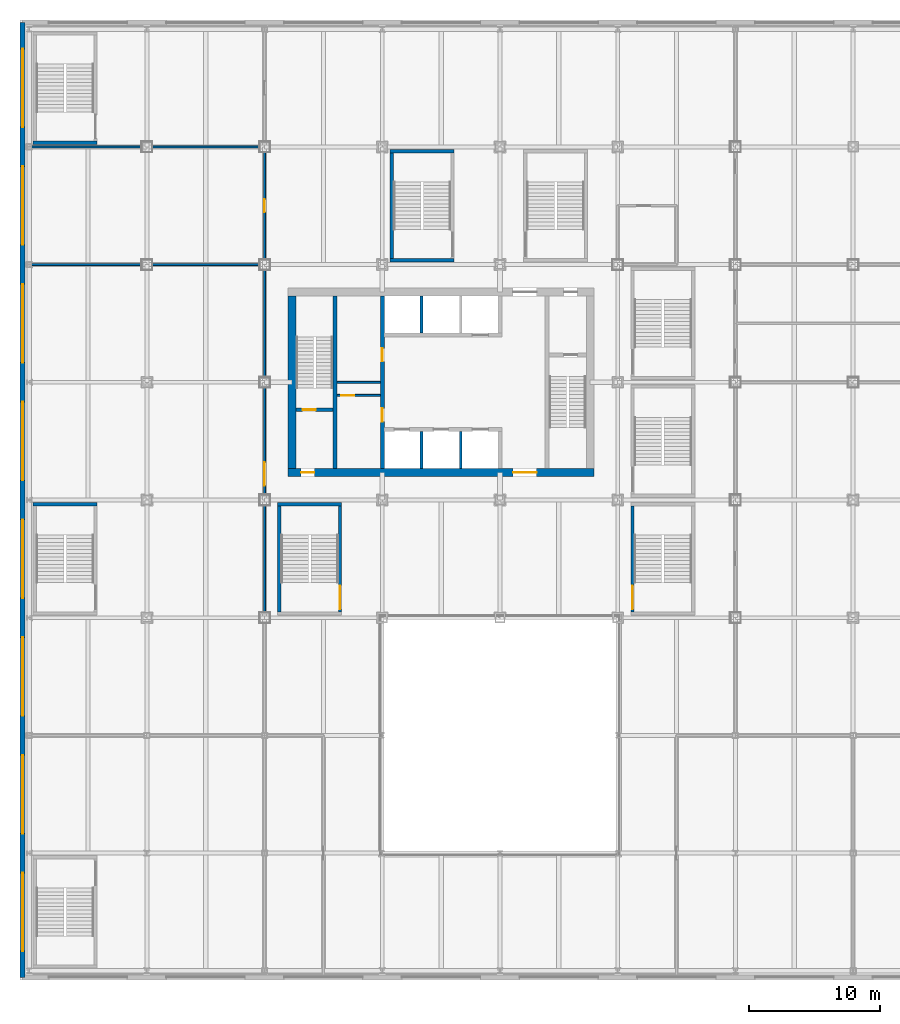
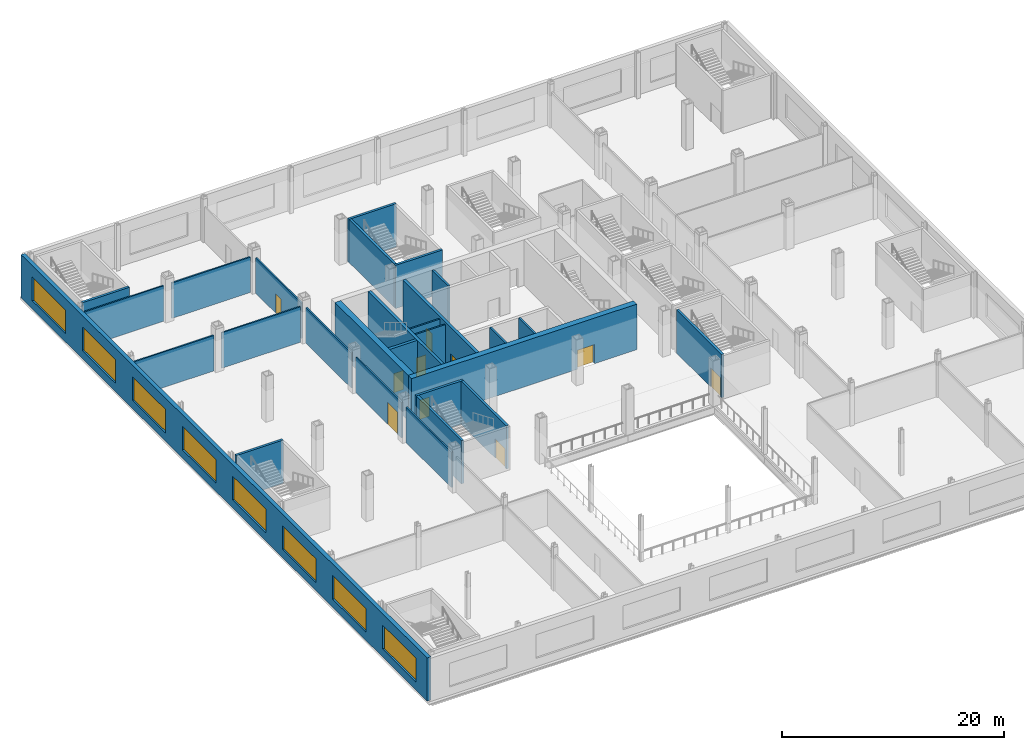
# One storey, part 12 of 31: 28 walls, 10 doors, 8 windows, 18 openings.
"""IFC4 building model written with IfcOpenShell, lengths in metres."""

from ifc_helpers import new_model, si_unit, direction, frame, frame_2d, origin, place, context, subcontext, project, spatial, rectangle, extrude, material, layer, layer_set, type_object, element, fill, save


model = new_model("IFC4")

# Units and contexts
model_context = context("Model", 3, precision=1e-05, world=origin(), true_north=direction((0.0, 1.0)))
body_context = subcontext(model_context, "Body", "Model", "MODEL_VIEW")
ifc_project = project(units=[si_unit("LENGTHUNIT", "METRE"), si_unit("AREAUNIT", "SQUARE_METRE"), si_unit("VOLUMEUNIT", "CUBIC_METRE"), si_unit("PLANEANGLEUNIT", "RADIAN"), si_unit("MASSUNIT", "GRAM", prefix="KILO")], contexts=[model_context])

# Site, building, storey
site_placement = place(None, origin())
site = spatial("IfcSite", under=ifc_project, at=site_placement, CompositionType="ELEMENT")
building_placement = place(site_placement, origin())
building = spatial("IfcBuilding", under=site, at=building_placement, Name="Loomwork Tower", CompositionType="ELEMENT")
storey_placement = place(building_placement, frame((0.0, 0.0, 11.0)))
storey = spatial("IfcBuildingStorey", under=building, at=storey_placement, Name="L02", CompositionType="ELEMENT", Elevation=11.0)

# Wall
ifc_material_1 = material(Name="Concrete 14000 psi (97 MPa)", Category="concrete")
ifc_layer_1 = layer(ifc_material_1, 0.300048828125)
ifc_layer_set_1 = layer_set([ifc_layer_1], Name="Core shear wall 300")
wall_type_1 = type_object("IfcWallType", Name="Core shear wall 300", PredefinedType="SHEAR", material=ifc_layer_set_1)
wall_1_placement = place(storey_placement, frame((14.39990234375, 11.39990234375, 0.0), z_axis=(0.0, 0.0, 1.0), x_axis=(0.0, 1.0, 0.0)))
element("IfcWall", 1, at=wall_1_placement, inside=storey, type_object=wall_type_1, Name="Stair A east wall L02", PredefinedType="SHEAR", context=body_context, shape_type="SweptSolid", body=[
    extrude(rectangle(XDim=13.2001953125, YDim=0.300048828125, at=frame_2d((6.60009765625, 0.0))), origin(), (0.0, 0.0, 1.0), 5.0),
])

# Wall, opening, door
wall_2_placement = place(storey_placement, frame((11.39990234375, 15.89990234375, 0.0), z_axis=(0.0, 0.0, 1.0), x_axis=(1.0, 0.0, 0.0)))
wall_2 = element("IfcWall", 2, at=wall_2_placement, inside=storey, type_object=wall_type_1, Name="Stair A south wall L02", PredefinedType="SHEAR", context=body_context, shape_type="SweptSolid", body=[
    extrude(rectangle(XDim=2.85009765625, YDim=0.300048828125, at=frame_2d((1.425048828125, 0.0))), origin(), (0.0, 0.0, 1.0), 5.0),
])
opening_1_placement = place(wall_2_placement, frame((0.5, 0.0, 0.0)))
opening_1 = element("IfcOpeningElement", 3, at=opening_1_placement, cuts=wall_2, Name="Opening D4", PredefinedType="OPENING", context=body_context, shape_type="SweptSolid", body=[
    extrude(rectangle(XDim=1.0, YDim=2.10009765625, at=frame_2d((0.5, 1.050048828125))), frame((0.0, 0.159912109375, 0.0), z_axis=(0.0, -1.0, 0.0), x_axis=(1.0, 0.0, 0.0)), (0.0, 0.0, 1.0), 0.320068359375),
])
ifc_material_2 = material(Name="Hollow metal door and frame")
door_type_1 = type_object("IfcDoorType", Name="Stair door 1000", OperationType="SINGLE_SWING_RIGHT", PredefinedType="DOOR", material=ifc_material_2)
door_1_placement = place(opening_1_placement, origin())
door_1 = element("IfcDoor", 4, at=door_1_placement, inside=storey, type_object=door_type_1, Name="Stair A door", OperationType="SINGLE_SWING_LEFT", OverallHeight=2.10009765625, OverallWidth=1.0, PredefinedType="DOOR", context=body_context, shape_type="SweptSolid", body=[
    extrude(rectangle(XDim=1.0, YDim=2.10009765625, at=frame_2d((0.5, 1.050048828125))), frame((0.0, 0.02490234375, 0.0), z_axis=(0.0, -1.0, 0.0), x_axis=(1.0, 0.0, 0.0)), (0.0, 0.0, 1.0), 0.050048828125),
])
fill(opening_1, door_1)

# Wall, openings, doors
wall_3_placement = place(storey_placement, frame((18.0, 11.39990234375, 0.0), z_axis=(0.0, 0.0, 1.0), x_axis=(0.0, 1.0, 0.0)))
wall_3 = element("IfcWall", 5, at=wall_3_placement, inside=storey, type_object=wall_type_1, Name="Lobby west wall L02", PredefinedType="SHEAR", context=body_context, shape_type="SweptSolid", body=[
    extrude(rectangle(XDim=13.2001953125, YDim=0.300048828125, at=frame_2d((6.60009765625, 0.0))), origin(), (0.0, 0.0, 1.0), 5.0),
])
opening_2_placement = place(wall_3_placement, frame((3.60009765625, 0.0, 0.0)))
opening_2 = element("IfcOpeningElement", 6, at=opening_2_placement, cuts=wall_3, Name="Opening D5", PredefinedType="OPENING", context=body_context, shape_type="SweptSolid", body=[
    extrude(rectangle(XDim=1.0, YDim=2.10009765625, at=frame_2d((0.5, 1.050048828125))), frame((0.0, 0.159912109375, 0.0), z_axis=(0.0, -1.0, 0.0), x_axis=(1.0, 0.0, 0.0)), (0.0, 0.0, 1.0), 0.320068359375),
])
opening_3_placement = place(wall_3_placement, frame((8.199951171875, 0.0, 0.0)))
opening_3 = element("IfcOpeningElement", 7, at=opening_3_placement, cuts=wall_3, Name="Opening D5", PredefinedType="OPENING", context=body_context, shape_type="SweptSolid", body=[
    extrude(rectangle(XDim=1.0, YDim=2.10009765625, at=frame_2d((0.5, 1.050048828125))), frame((0.0, 0.159912109375, 0.0), z_axis=(0.0, -1.0, 0.0), x_axis=(1.0, 0.0, 0.0)), (0.0, 0.0, 1.0), 0.320068359375),
])
ifc_material_3 = material(Name="Hollow metal door and frame")
door_type_2 = type_object("IfcDoorType", Name="Service door 1000", OperationType="SINGLE_SWING_LEFT", PredefinedType="DOOR", material=ifc_material_3)
door_2_placement = place(opening_2_placement, origin())
door_2 = element("IfcDoor", 8, at=door_2_placement, inside=storey, type_object=door_type_2, Name="Back-of-house door south", OperationType="SINGLE_SWING_LEFT", OverallHeight=2.10009765625, OverallWidth=1.0, PredefinedType="DOOR", context=body_context, shape_type="SweptSolid", body=[
    extrude(rectangle(XDim=1.0, YDim=2.10009765625, at=frame_2d((0.5, 1.050048828125))), frame((0.0, 0.02490234375, 0.0), z_axis=(0.0, -1.0, 0.0), x_axis=(1.0, 0.0, 0.0)), (0.0, 0.0, 1.0), 0.050048828125),
])
fill(opening_2, door_2)
door_3_placement = place(opening_3_placement, origin())
door_3 = element("IfcDoor", 9, at=door_3_placement, inside=storey, type_object=door_type_2, Name="Back-of-house door north", OperationType="SINGLE_SWING_RIGHT", OverallHeight=2.10009765625, OverallWidth=1.0, PredefinedType="DOOR", context=body_context, shape_type="SweptSolid", body=[
    extrude(rectangle(XDim=1.0, YDim=2.10009765625, at=frame_2d((0.5, 1.050048828125))), frame((0.0, 0.02490234375, 0.0), z_axis=(0.0, -1.0, 0.0), x_axis=(1.0, 0.0, 0.0)), (0.0, 0.0, 1.0), 0.050048828125),
])
fill(opening_3, door_3)

ifc_material_4 = material(Name="Concrete 14000 psi (97 MPa)", Category="concrete")
ifc_layer_2 = layer(ifc_material_4, 0.60009765625)
ifc_layer_set_2 = layer_set([ifc_layer_2], Name="Core shear wall 600")
wall_type_2 = type_object("IfcWallType", Name="Core shear wall 600", PredefinedType="SHEAR", material=ifc_layer_set_2)
wall_4_placement = place(storey_placement, frame((10.800048828125, 11.10009765625, 0.0), z_axis=(0.0, 0.0, 1.0), x_axis=(1.0, 0.0, 0.0)))
wall_4 = element("IfcWall", 10, at=wall_4_placement, inside=storey, type_object=wall_type_2, Name="Core wall south L02", PredefinedType="SHEAR", context=body_context, shape_type="SweptSolid", body=[
    extrude(rectangle(XDim=23.39990234375, YDim=0.60009765625, at=frame_2d((11.699951171875, 0.0))), origin(), (0.0, 0.0, 1.0), 5.0),
])
opening_4_placement = place(wall_4_placement, frame((1.0, 0.0, 0.0)))
opening_4 = element("IfcOpeningElement", 11, at=opening_4_placement, cuts=wall_4, Name="Opening D4", PredefinedType="OPENING", context=body_context, shape_type="SweptSolid", body=[
    extrude(rectangle(XDim=1.0, YDim=2.10009765625, at=frame_2d((0.5, 1.050048828125))), frame((0.0, 0.31005859375, 0.0), z_axis=(0.0, -1.0, 0.0), x_axis=(1.0, 0.0, 0.0)), (0.0, 0.0, 1.0), 0.6201171875),
])
opening_5_placement = place(wall_4_placement, frame((17.199951171875, 0.0, 0.0)))
opening_5 = element("IfcOpeningElement", 12, at=opening_5_placement, cuts=wall_4, Name="Opening D6", PredefinedType="OPENING", context=body_context, shape_type="SweptSolid", body=[
    extrude(rectangle(XDim=1.800048828125, YDim=2.10009765625, at=frame_2d((0.89990234375, 1.050048828125))), frame((0.0, 0.31005859375, 0.0), z_axis=(0.0, -1.0, 0.0), x_axis=(1.0, 0.0, 0.0)), (0.0, 0.0, 1.0), 0.6201171875),
])
ifc_material_5 = material(Name="Hollow metal door and frame")
door_type_3 = type_object("IfcDoorType", Name="Lobby passage double door 1800", OperationType="DOUBLE_DOOR_SINGLE_SWING", PredefinedType="DOOR", material=ifc_material_5)
door_4_placement = place(opening_5_placement, origin())
door_4 = element("IfcDoor", 13, at=door_4_placement, inside=storey, type_object=door_type_3, Name="Lobby passage door south", OperationType="DOUBLE_DOOR_SINGLE_SWING", OverallHeight=2.10009765625, OverallWidth=1.800048828125, PredefinedType="DOOR", context=body_context, shape_type="SweptSolid", body=[
    extrude(rectangle(XDim=1.800048828125, YDim=2.10009765625, at=frame_2d((0.89990234375, 1.050048828125))), frame((0.0, 0.02490234375, 0.0), z_axis=(0.0, -1.0, 0.0), x_axis=(1.0, 0.0, 0.0)), (0.0, 0.0, 1.0), 0.050048828125),
])
fill(opening_5, door_4)
door_5_placement = place(opening_4_placement, origin())
door_5 = element("IfcDoor", 14, at=door_5_placement, inside=storey, type_object=door_type_1, Name="Stair A vestibule door", OperationType="SINGLE_SWING_LEFT", OverallHeight=2.10009765625, OverallWidth=1.0, PredefinedType="DOOR", context=body_context, shape_type="SweptSolid", body=[
    extrude(rectangle(XDim=1.0, YDim=2.10009765625, at=frame_2d((0.5, 1.050048828125))), frame((0.0, 0.02490234375, 0.0), z_axis=(0.0, -1.0, 0.0), x_axis=(1.0, 0.0, 0.0)), (0.0, 0.0, 1.0), 0.050048828125),
])
fill(opening_4, door_5)

# Walls
wall_5_placement = place(storey_placement, frame((11.10009765625, 11.39990234375, 0.0), z_axis=(0.0, 0.0, 1.0), x_axis=(0.0, 1.0, 0.0)))
element("IfcWall", 15, at=wall_5_placement, inside=storey, type_object=wall_type_2, Name="Core wall west L02", PredefinedType="SHEAR", context=body_context, shape_type="SweptSolid", body=[
    extrude(rectangle(XDim=13.2001953125, YDim=0.60009765625, at=frame_2d((6.60009765625, 0.0))), origin(), (0.0, 0.0, 1.0), 5.0),
])
ifc_material_6 = material(Name="Concrete 14000 psi (97 MPa)", Category="concrete")
ifc_layer_3 = layer(ifc_material_6, 0.199951171875)
ifc_layer_set_3 = layer_set([ifc_layer_3], Name="Lift shaft wall 200")
wall_type_3 = type_object("IfcWallType", Name="Lift shaft wall 200", PredefinedType="SHEAR", material=ifc_layer_set_3)
for number, where, z_axis, x_axis, name in (
    (16, (21.0, 11.39990234375, 0.0), (0.0, 0.0, 1.0), (0.0, 1.0, 0.0), "Lift shaft separation wall south 1 L02"),
    (17, (24.0, 11.39990234375, 0.0), (0.0, 0.0, 1.0), (0.0, 1.0, 0.0), "Lift shaft separation wall south 2 L02"),
    (18, (21.0, 21.75, 0.0), (0.0, 0.0, 1.0), (0.0, 1.0, 0.0), "Lift shaft separation wall north 1 L02"),
):
    element("IfcWall", number, at=place(storey_placement, frame(where, z_axis=z_axis, x_axis=x_axis)), inside=storey, type_object=wall_type_3, Name=name, PredefinedType="SHEAR", context=body_context, shape_type="SweptSolid", body=[
        extrude(rectangle(XDim=2.85009765625, YDim=0.199951171875, at=frame_2d((1.425048828125, 0.0))), origin(), (0.0, 0.0, 1.0), 5.0),
    ])
ifc_material_7 = material(Name="Gypsum board on steel studs, one-hour", Category="steel")
ifc_layer_4 = layer(ifc_material_7, 0.14990234375)
ifc_layer_set_4 = layer_set([ifc_layer_4], Name="Partition 150")
wall_type_4 = type_object("IfcWallType", Name="Partition 150", PredefinedType="PARTITIONING", material=ifc_layer_set_4)
wall_6_placement = place(storey_placement, frame((-8.81201171875, 27.0, 0.0), z_axis=(0.0, 0.0, 1.0), x_axis=(1.0, 0.0, 0.0)))
element("IfcWall", 19, at=wall_6_placement, inside=storey, type_object=wall_type_4, Name="Partition L02 2.1", PredefinedType="PARTITIONING", context=body_context, shape_type="SweptSolid", body=[
    extrude(rectangle(XDim=8.412109375, YDim=0.14990234375, at=frame_2d((4.2060546875, 0.0))), origin(), (0.0, 0.0, 1.0), 3.8916015625),
])
wall_7_placement = place(storey_placement, frame((0.39990234375, 27.0, 0.0), z_axis=(0.0, 0.0, 1.0), x_axis=(1.0, 0.0, 0.0)))
element("IfcWall", 20, at=wall_7_placement, inside=storey, type_object=wall_type_4, Name="Partition L02 2.2", PredefinedType="PARTITIONING", context=body_context, shape_type="SweptSolid", body=[
    extrude(rectangle(XDim=8.2001953125, YDim=0.14990234375, at=frame_2d((4.10009765625, 0.0))), origin(), (0.0, 0.0, 1.0), 3.8916015625),
])
wall_8_placement = place(storey_placement, frame((-8.81201171875, 36.0, 0.0), z_axis=(0.0, 0.0, 1.0), x_axis=(1.0, 0.0, 0.0)))
element("IfcWall", 21, at=wall_8_placement, inside=storey, type_object=wall_type_4, Name="Partition L02 3.1", PredefinedType="PARTITIONING", context=body_context, shape_type="SweptSolid", body=[
    extrude(rectangle(XDim=8.412109375, YDim=0.14990234375, at=frame_2d((4.2060546875, 0.0))), origin(), (0.0, 0.0, 1.0), 3.8916015625),
])
for number, where, z_axis, x_axis, name in (
    (22, (0.39990234375, 36.0, 0.0), (0.0, 0.0, 1.0), (1.0, 0.0, 0.0), "Partition L02 3.2"),
    (23, (9.0, 26.60009765625, 0.0), (0.0, 0.0, 1.0), (0.0, -1.0, 0.0), "Partition L02 6.1"),
):
    element("IfcWall", number, at=place(storey_placement, frame(where, z_axis=z_axis, x_axis=x_axis)), inside=storey, type_object=wall_type_4, Name=name, PredefinedType="PARTITIONING", context=body_context, shape_type="SweptSolid", body=[
        extrude(rectangle(XDim=8.2001953125, YDim=0.14990234375, at=frame_2d((4.10009765625, 0.0))), origin(), (0.0, 0.0, 1.0), 3.8916015625),
    ])

# Wall, opening, door
wall_9_placement = place(storey_placement, frame((9.0, 17.60009765625, 0.0), z_axis=(0.0, 0.0, 1.0), x_axis=(0.0, -1.0, 0.0)))
wall_9 = element("IfcWall", 24, at=wall_9_placement, inside=storey, type_object=wall_type_4, Name="Partition L02 6.2", PredefinedType="PARTITIONING", context=body_context, shape_type="SweptSolid", body=[
    extrude(rectangle(XDim=8.2001953125, YDim=0.14990234375, at=frame_2d((4.10009765625, 0.0))), origin(), (0.0, 0.0, 1.0), 3.8916015625),
])
opening_6_placement = place(wall_9_placement, frame((5.699951171875, 0.0, 0.0)))
opening_6 = element("IfcOpeningElement", 25, at=opening_6_placement, cuts=wall_9, Name="Opening D9", PredefinedType="OPENING", context=body_context, shape_type="SweptSolid", body=[
    extrude(rectangle(XDim=1.800048828125, YDim=2.39990234375, at=frame_2d((0.89990234375, 1.199951171875))), frame((0.0, 0.0849609375, 0.0), z_axis=(0.0, -1.0, 0.0), x_axis=(1.0, 0.0, 0.0)), (0.0, 0.0, 1.0), 0.169921875),
])
ifc_material_8 = material(Name="Hollow metal door and frame")
door_type_4 = type_object("IfcDoorType", Name="Double door 1800", OperationType="DOUBLE_DOOR_SINGLE_SWING", PredefinedType="DOOR", material=ifc_material_8)
door_6_placement = place(opening_6_placement, origin())
door_6 = element("IfcDoor", 26, at=door_6_placement, inside=storey, type_object=door_type_4, Name="Junior ballroom door", OperationType="DOUBLE_DOOR_SINGLE_SWING", OverallHeight=2.39990234375, OverallWidth=1.800048828125, PredefinedType="DOOR", context=body_context, shape_type="SweptSolid", body=[
    extrude(rectangle(XDim=1.800048828125, YDim=2.39990234375, at=frame_2d((0.89990234375, 1.199951171875))), frame((0.0, 0.02490234375, 0.0), z_axis=(0.0, -1.0, 0.0), x_axis=(1.0, 0.0, 0.0)), (0.0, 0.0, 1.0), 0.050048828125),
])
fill(opening_6, door_6)

# Wall
wall_10_placement = place(storey_placement, frame((9.0, 8.60009765625, 0.0), z_axis=(0.0, 0.0, 1.0), x_axis=(0.0, -1.0, 0.0)))
element("IfcWall", 27, at=wall_10_placement, inside=storey, type_object=wall_type_4, Name="Partition L02 6.3", PredefinedType="PARTITIONING", context=body_context, shape_type="SweptSolid", body=[
    extrude(rectangle(XDim=8.2001953125, YDim=0.14990234375, at=frame_2d((4.10009765625, 0.0))), origin(), (0.0, 0.0, 1.0), 3.8916015625),
])

# Wall, opening, door
wall_11_placement = place(storey_placement, frame((9.0, 35.60009765625, 0.0), z_axis=(0.0, 0.0, 1.0), x_axis=(0.0, -1.0, 0.0)))
wall_11 = element("IfcWall", 28, at=wall_11_placement, inside=storey, type_object=wall_type_4, Name="Partition L02 7.1", PredefinedType="PARTITIONING", context=body_context, shape_type="SweptSolid", body=[
    extrude(rectangle(XDim=8.2001953125, YDim=0.14990234375, at=frame_2d((4.10009765625, 0.0))), origin(), (0.0, 0.0, 1.0), 3.8916015625),
])
opening_7_placement = place(wall_11_placement, frame((3.60009765625, 0.0, 0.0)))
opening_7 = element("IfcOpeningElement", 29, at=opening_7_placement, cuts=wall_11, Name="Opening D7", PredefinedType="OPENING", context=body_context, shape_type="SweptSolid", body=[
    extrude(rectangle(XDim=1.0, YDim=2.10009765625, at=frame_2d((0.5, 1.050048828125))), frame((0.0, 0.0849609375, 0.0), z_axis=(0.0, -1.0, 0.0), x_axis=(1.0, 0.0, 0.0)), (0.0, 0.0, 1.0), 0.169921875),
])
ifc_material_9 = material(Name="Hollow metal door and frame")
door_type_5 = type_object("IfcDoorType", Name="Room door 1000", OperationType="SINGLE_SWING_LEFT", PredefinedType="DOOR", material=ifc_material_9)
door_7_placement = place(opening_7_placement, frame((1.0, 0.0, 0.0), z_axis=(0.0, 0.0, 1.0), x_axis=(-1.0, 0.0, 0.0)))
door_7 = element("IfcDoor", 30, at=door_7_placement, inside=storey, type_object=door_type_5, Name="Conference office door", OperationType="SINGLE_SWING_LEFT", OverallHeight=2.10009765625, OverallWidth=1.0, PredefinedType="DOOR", context=body_context, shape_type="SweptSolid", body=[
    extrude(rectangle(XDim=1.0, YDim=2.10009765625, at=frame_2d((0.5, 1.050048828125))), frame((0.0, 0.02490234375, 0.0), z_axis=(0.0, -1.0, 0.0), x_axis=(1.0, 0.0, 0.0)), (0.0, 0.0, 1.0), 0.050048828125),
])
fill(opening_7, door_7)

# Wall
ifc_material_10 = material(Name="Gypsum board on steel studs", Category="steel")
ifc_layer_5 = layer(ifc_material_10, 0.14990234375)
ifc_layer_set_5 = layer_set([ifc_layer_5], Name="Partition 150 two-hour")
wall_type_5 = type_object("IfcWallType", Name="Partition 150 two-hour", PredefinedType="PARTITIONING", material=ifc_layer_set_5)
wall_12_placement = place(storey_placement, frame((14.550048828125, 18.0, 0.0), z_axis=(0.0, 0.0, 1.0), x_axis=(1.0, 0.0, 0.0)))
element("IfcWall", 31, at=wall_12_placement, inside=storey, type_object=wall_type_5, Name="Back-of-house dividing wall L02", PredefinedType="PARTITIONING", context=body_context, shape_type="SweptSolid", body=[
    extrude(rectangle(XDim=3.300048828125, YDim=0.14990234375, at=frame_2d((1.64990234375, 0.0))), origin(), (0.0, 0.0, 1.0), 4.75),
])

# Wall, openings, windows
ifc_material_11 = material(Name="Limestone on concrete masonry", Category="masonry")
ifc_layer_6 = layer(ifc_material_11, 0.39990234375)
ifc_layer_set_6 = layer_set([ifc_layer_6], Name="Podium limestone wall 400")
wall_type_6 = type_object("IfcWallType", Name="Podium limestone wall 400", PredefinedType="SOLIDWALL", material=ifc_layer_set_6)
wall_13_placement = place(storey_placement, frame((-9.5, 45.5, 0.0), z_axis=(0.0, 0.0, 1.0), x_axis=(0.0, -1.0, 0.0)))
wall_13 = element("IfcWall", 32, at=wall_13_placement, inside=storey, type_object=wall_type_6, Name="Podium stone wall W", PredefinedType="SOLIDWALL", context=body_context, shape_type="SweptSolid", body=[
    extrude(rectangle(XDim=73.0, YDim=0.39990234375, at=frame_2d((36.5, 0.0))), origin(), (0.0, 0.0, 1.0), 4.75),
])
opening_8_placement = place(wall_13_placement, frame((2.0, 0.0, 0.89990234375)))
opening_8 = element("IfcOpeningElement", 33, at=opening_8_placement, cuts=wall_13, Name="Opening CH3", PredefinedType="OPENING", context=body_context, shape_type="SweptSolid", body=[
    extrude(rectangle(XDim=6.0, YDim=2.60009765625, at=frame_2d((3.0, 1.300048828125))), frame((0.0, 0.2099609375, 0.0), z_axis=(0.0, -1.0, 0.0), x_axis=(1.0, 0.0, 0.0)), (0.0, 0.0, 1.0), 0.419921875),
])
opening_9_placement = place(wall_13_placement, frame((11.0, 0.0, 0.89990234375)))
opening_9 = element("IfcOpeningElement", 34, at=opening_9_placement, cuts=wall_13, Name="Opening CH3", PredefinedType="OPENING", context=body_context, shape_type="SweptSolid", body=[
    extrude(rectangle(XDim=6.0, YDim=2.60009765625, at=frame_2d((3.0, 1.300048828125))), frame((0.0, 0.2099609375, 0.0), z_axis=(0.0, -1.0, 0.0), x_axis=(1.0, 0.0, 0.0)), (0.0, 0.0, 1.0), 0.419921875),
])
opening_10_placement = place(wall_13_placement, frame((20.0, 0.0, 0.89990234375)))
opening_10 = element("IfcOpeningElement", 35, at=opening_10_placement, cuts=wall_13, Name="Opening CH3", PredefinedType="OPENING", context=body_context, shape_type="SweptSolid", body=[
    extrude(rectangle(XDim=6.0, YDim=2.60009765625, at=frame_2d((3.0, 1.300048828125))), frame((0.0, 0.2099609375, 0.0), z_axis=(0.0, -1.0, 0.0), x_axis=(1.0, 0.0, 0.0)), (0.0, 0.0, 1.0), 0.419921875),
])
opening_11_placement = place(wall_13_placement, frame((29.0, 0.0, 0.89990234375)))
opening_11 = element("IfcOpeningElement", 36, at=opening_11_placement, cuts=wall_13, Name="Opening CH3", PredefinedType="OPENING", context=body_context, shape_type="SweptSolid", body=[
    extrude(rectangle(XDim=6.0, YDim=2.60009765625, at=frame_2d((3.0, 1.300048828125))), frame((0.0, 0.2099609375, 0.0), z_axis=(0.0, -1.0, 0.0), x_axis=(1.0, 0.0, 0.0)), (0.0, 0.0, 1.0), 0.419921875),
])
opening_12_placement = place(wall_13_placement, frame((38.0, 0.0, 0.89990234375)))
opening_12 = element("IfcOpeningElement", 37, at=opening_12_placement, cuts=wall_13, Name="Opening CH3", PredefinedType="OPENING", context=body_context, shape_type="SweptSolid", body=[
    extrude(rectangle(XDim=6.0, YDim=2.60009765625, at=frame_2d((3.0, 1.300048828125))), frame((0.0, 0.2099609375, 0.0), z_axis=(0.0, -1.0, 0.0), x_axis=(1.0, 0.0, 0.0)), (0.0, 0.0, 1.0), 0.419921875),
])
opening_13_placement = place(wall_13_placement, frame((47.0, 0.0, 0.89990234375)))
opening_13 = element("IfcOpeningElement", 38, at=opening_13_placement, cuts=wall_13, Name="Opening CH3", PredefinedType="OPENING", context=body_context, shape_type="SweptSolid", body=[
    extrude(rectangle(XDim=6.0, YDim=2.60009765625, at=frame_2d((3.0, 1.300048828125))), frame((0.0, 0.2099609375, 0.0), z_axis=(0.0, -1.0, 0.0), x_axis=(1.0, 0.0, 0.0)), (0.0, 0.0, 1.0), 0.419921875),
])
opening_14_placement = place(wall_13_placement, frame((56.0, 0.0, 0.89990234375)))
opening_14 = element("IfcOpeningElement", 39, at=opening_14_placement, cuts=wall_13, Name="Opening CH3", PredefinedType="OPENING", context=body_context, shape_type="SweptSolid", body=[
    extrude(rectangle(XDim=6.0, YDim=2.60009765625, at=frame_2d((3.0, 1.300048828125))), frame((0.0, 0.2099609375, 0.0), z_axis=(0.0, -1.0, 0.0), x_axis=(1.0, 0.0, 0.0)), (0.0, 0.0, 1.0), 0.419921875),
])
opening_15_placement = place(wall_13_placement, frame((65.0, 0.0, 0.89990234375)))
opening_15 = element("IfcOpeningElement", 40, at=opening_15_placement, cuts=wall_13, Name="Opening CH3", PredefinedType="OPENING", context=body_context, shape_type="SweptSolid", body=[
    extrude(rectangle(XDim=6.0, YDim=2.60009765625, at=frame_2d((3.0, 1.300048828125))), frame((0.0, 0.2099609375, 0.0), z_axis=(0.0, -1.0, 0.0), x_axis=(1.0, 0.0, 0.0)), (0.0, 0.0, 1.0), 0.419921875),
])
ifc_material_12 = material(Name="Aluminium frame with clear insulated glass", Category="aluminium")
window_type = type_object("IfcWindowType", Name="Podium Chicago window 6000", PartitioningType="TRIPLE_PANEL_VERTICAL", PredefinedType="WINDOW", material=ifc_material_12)
window_1_placement = place(opening_8_placement, origin())
window_1 = element("IfcWindow", 41, at=window_1_placement, inside=storey, type_object=window_type, Name="Podium window W bay 1", OverallHeight=2.60009765625, OverallWidth=6.0, PartitioningType="TRIPLE_PANEL_VERTICAL", PredefinedType="WINDOW", context=body_context, shape_type="SweptSolid", body=[
    extrude(rectangle(XDim=6.0, YDim=2.60009765625, at=frame_2d((3.0, 1.300048828125))), frame((0.0, 0.030029296875, 0.0), z_axis=(0.0, -1.0, 0.0), x_axis=(1.0, 0.0, 0.0)), (0.0, 0.0, 1.0), 0.06005859375),
])
fill(opening_8, window_1)
window_2_placement = place(opening_9_placement, origin())
window_2 = element("IfcWindow", 42, at=window_2_placement, inside=storey, type_object=window_type, Name="Podium window W bay 2", OverallHeight=2.60009765625, OverallWidth=6.0, PartitioningType="TRIPLE_PANEL_VERTICAL", PredefinedType="WINDOW", context=body_context, shape_type="SweptSolid", body=[
    extrude(rectangle(XDim=6.0, YDim=2.60009765625, at=frame_2d((3.0, 1.300048828125))), frame((0.0, 0.030029296875, 0.0), z_axis=(0.0, -1.0, 0.0), x_axis=(1.0, 0.0, 0.0)), (0.0, 0.0, 1.0), 0.06005859375),
])
fill(opening_9, window_2)
window_3_placement = place(opening_10_placement, origin())
window_3 = element("IfcWindow", 43, at=window_3_placement, inside=storey, type_object=window_type, Name="Podium window W bay 3", OverallHeight=2.60009765625, OverallWidth=6.0, PartitioningType="TRIPLE_PANEL_VERTICAL", PredefinedType="WINDOW", context=body_context, shape_type="SweptSolid", body=[
    extrude(rectangle(XDim=6.0, YDim=2.60009765625, at=frame_2d((3.0, 1.300048828125))), frame((0.0, 0.030029296875, 0.0), z_axis=(0.0, -1.0, 0.0), x_axis=(1.0, 0.0, 0.0)), (0.0, 0.0, 1.0), 0.06005859375),
])
fill(opening_10, window_3)
window_4_placement = place(opening_11_placement, origin())
window_4 = element("IfcWindow", 44, at=window_4_placement, inside=storey, type_object=window_type, Name="Podium window W bay 4", OverallHeight=2.60009765625, OverallWidth=6.0, PartitioningType="TRIPLE_PANEL_VERTICAL", PredefinedType="WINDOW", context=body_context, shape_type="SweptSolid", body=[
    extrude(rectangle(XDim=6.0, YDim=2.60009765625, at=frame_2d((3.0, 1.300048828125))), frame((0.0, 0.030029296875, 0.0), z_axis=(0.0, -1.0, 0.0), x_axis=(1.0, 0.0, 0.0)), (0.0, 0.0, 1.0), 0.06005859375),
])
fill(opening_11, window_4)
window_5_placement = place(opening_12_placement, origin())
window_5 = element("IfcWindow", 45, at=window_5_placement, inside=storey, type_object=window_type, Name="Podium window W bay 5", OverallHeight=2.60009765625, OverallWidth=6.0, PartitioningType="TRIPLE_PANEL_VERTICAL", PredefinedType="WINDOW", context=body_context, shape_type="SweptSolid", body=[
    extrude(rectangle(XDim=6.0, YDim=2.60009765625, at=frame_2d((3.0, 1.300048828125))), frame((0.0, 0.030029296875, 0.0), z_axis=(0.0, -1.0, 0.0), x_axis=(1.0, 0.0, 0.0)), (0.0, 0.0, 1.0), 0.06005859375),
])
fill(opening_12, window_5)
window_6_placement = place(opening_13_placement, origin())
window_6 = element("IfcWindow", 46, at=window_6_placement, inside=storey, type_object=window_type, Name="Podium window W bay 6", OverallHeight=2.60009765625, OverallWidth=6.0, PartitioningType="TRIPLE_PANEL_VERTICAL", PredefinedType="WINDOW", context=body_context, shape_type="SweptSolid", body=[
    extrude(rectangle(XDim=6.0, YDim=2.60009765625, at=frame_2d((3.0, 1.300048828125))), frame((0.0, 0.030029296875, 0.0), z_axis=(0.0, -1.0, 0.0), x_axis=(1.0, 0.0, 0.0)), (0.0, 0.0, 1.0), 0.06005859375),
])
fill(opening_13, window_6)
window_7_placement = place(opening_14_placement, origin())
window_7 = element("IfcWindow", 47, at=window_7_placement, inside=storey, type_object=window_type, Name="Podium window W bay 7", OverallHeight=2.60009765625, OverallWidth=6.0, PartitioningType="TRIPLE_PANEL_VERTICAL", PredefinedType="WINDOW", context=body_context, shape_type="SweptSolid", body=[
    extrude(rectangle(XDim=6.0, YDim=2.60009765625, at=frame_2d((3.0, 1.300048828125))), frame((0.0, 0.030029296875, 0.0), z_axis=(0.0, -1.0, 0.0), x_axis=(1.0, 0.0, 0.0)), (0.0, 0.0, 1.0), 0.06005859375),
])
fill(opening_14, window_7)
window_8_placement = place(opening_15_placement, origin())
window_8 = element("IfcWindow", 48, at=window_8_placement, inside=storey, type_object=window_type, Name="Podium window W bay 8", OverallHeight=2.60009765625, OverallWidth=6.0, PartitioningType="TRIPLE_PANEL_VERTICAL", PredefinedType="WINDOW", context=body_context, shape_type="SweptSolid", body=[
    extrude(rectangle(XDim=6.0, YDim=2.60009765625, at=frame_2d((3.0, 1.300048828125))), frame((0.0, 0.030029296875, 0.0), z_axis=(0.0, -1.0, 0.0), x_axis=(1.0, 0.0, 0.0)), (0.0, 0.0, 1.0), 0.06005859375),
])
fill(opening_15, window_8)

# Wall, opening, door
ifc_material_13 = material(Name="Gypsum board on steel studs, one-hour", Category="steel")
ifc_layer_7 = layer(ifc_material_13, 0.14990234375)
ifc_layer_set_7 = layer_set([ifc_layer_7], Name="Service partition 150")
wall_type_7 = type_object("IfcWallType", Name="Service partition 150", PredefinedType="PARTITIONING", material=ifc_layer_set_7)
wall_14_placement = place(storey_placement, frame((14.550048828125, 17.0, 0.0), z_axis=(0.0, 0.0, 1.0), x_axis=(1.0, 0.0, 0.0)))
wall_14 = element("IfcWall", 49, at=wall_14_placement, inside=storey, type_object=wall_type_7, Name="Riser enclosure L02", PredefinedType="PARTITIONING", context=body_context, shape_type="SweptSolid", body=[
    extrude(rectangle(XDim=3.300048828125, YDim=0.14990234375, at=frame_2d((1.64990234375, 0.0))), origin(), (0.0, 0.0, 1.0), 4.75),
])
opening_16_placement = place(wall_14_placement, frame((0.300048828125, 0.0, 0.0)))
opening_16 = element("IfcOpeningElement", 50, at=opening_16_placement, cuts=wall_14, Name="Opening D18", PredefinedType="OPENING", context=body_context, shape_type="SweptSolid", body=[
    extrude(rectangle(XDim=1.0, YDim=2.10009765625, at=frame_2d((0.5, 1.050048828125))), frame((0.0, 0.0849609375, 0.0), z_axis=(0.0, -1.0, 0.0), x_axis=(1.0, 0.0, 0.0)), (0.0, 0.0, 1.0), 0.169921875),
])
ifc_material_14 = material(Name="Hollow metal door and frame")
door_type_6 = type_object("IfcDoorType", Name="Ninety-minute service door 1000", OperationType="SINGLE_SWING_LEFT", PredefinedType="DOOR", material=ifc_material_14)
door_8_placement = place(opening_16_placement, frame((1.0, 0.0, 0.0), z_axis=(0.0, 0.0, 1.0), x_axis=(-1.0, 0.0, 0.0)))
door_8 = element("IfcDoor", 51, at=door_8_placement, inside=storey, type_object=door_type_6, Name="Riser access door", OperationType="SINGLE_SWING_RIGHT", OverallHeight=2.10009765625, OverallWidth=1.0, PredefinedType="DOOR", context=body_context, shape_type="SweptSolid", body=[
    extrude(rectangle(XDim=1.0, YDim=2.10009765625, at=frame_2d((0.5, 1.050048828125))), frame((0.0, 0.02490234375, 0.0), z_axis=(0.0, -1.0, 0.0), x_axis=(1.0, 0.0, 0.0)), (0.0, 0.0, 1.0), 0.050048828125),
])
fill(opening_16, door_8)

# Walls
ifc_material_15 = material(Name="Concrete masonry, two-hour", Category="masonry")
ifc_layer_8 = layer(ifc_material_15, 0.25)
ifc_layer_set_8 = layer_set([ifc_layer_8], Name="Stair enclosure wall 250")
wall_type_8 = type_object("IfcWallType", Name="Stair enclosure wall 250", PredefinedType="SOLIDWALL", material=ifc_layer_set_8)
for number, where, z_axis, x_axis, name in (
    (52, (-8.699951171875, 36.324951171875, 0.0), (0.0, 0.0, 1.0), (1.0, 0.0, 0.0), "Stair PS3 enclosure wall S L02"),
    (53, (-8.699951171875, 8.675048828125, 0.0), (0.0, 0.0, 1.0), (1.0, 0.0, 0.0), "Stair PS5 enclosure wall N L02"),
):
    element("IfcWall", number, at=place(storey_placement, frame(where, z_axis=z_axis, x_axis=x_axis)), inside=storey, type_object=wall_type_8, Name=name, PredefinedType="SOLIDWALL", context=body_context, shape_type="SweptSolid", body=[
        extrude(rectangle(XDim=4.89990234375, YDim=0.25, at=frame_2d((2.449951171875, 0.0))), origin(), (0.0, 0.0, 1.0), 4.75),
    ])

# Wall, opening, door
wall_15_placement = place(storey_placement, frame((37.125, 0.449951171875, 0.0), z_axis=(0.0, 0.0, 1.0), x_axis=(0.0, 1.0, 0.0)))
wall_15 = element("IfcWall", 54, at=wall_15_placement, inside=storey, type_object=wall_type_8, Name="Stair PS7 enclosure wall W L02", PredefinedType="SOLIDWALL", context=body_context, shape_type="SweptSolid", body=[
    extrude(rectangle(XDim=8.10009765625, YDim=0.25, at=frame_2d((4.050048828125, 0.0))), origin(), (0.0, 0.0, 1.0), 4.75),
])
opening_17_placement = place(wall_15_placement, frame((0.199951171875, 0.0, 0.0)))
opening_17 = element("IfcOpeningElement", 55, at=opening_17_placement, cuts=wall_15, Name="Opening D14", PredefinedType="OPENING", context=body_context, shape_type="SweptSolid", body=[
    extrude(rectangle(XDim=1.800048828125, YDim=2.10009765625, at=frame_2d((0.89990234375, 1.050048828125))), frame((0.0, 0.135009765625, 0.0), z_axis=(0.0, -1.0, 0.0), x_axis=(1.0, 0.0, 0.0)), (0.0, 0.0, 1.0), 0.27001953125),
])
ifc_material_16 = material(Name="Hollow metal door and frame")
door_type_7 = type_object("IfcDoorType", Name="Stair double door 1800", OperationType="DOUBLE_DOOR_SINGLE_SWING", PredefinedType="DOOR", material=ifc_material_16)
door_9_placement = place(opening_17_placement, frame((1.800048828125, 0.0, 0.0), z_axis=(0.0, 0.0, 1.0), x_axis=(-1.0, 0.0, 0.0)))
door_9 = element("IfcDoor", 56, at=door_9_placement, inside=storey, type_object=door_type_7, Name="Stair PS7 door L02", OperationType="DOUBLE_DOOR_SINGLE_SWING", OverallHeight=2.10009765625, OverallWidth=1.800048828125, PredefinedType="DOOR", context=body_context, shape_type="SweptSolid", body=[
    extrude(rectangle(XDim=1.800048828125, YDim=2.10009765625, at=frame_2d((0.89990234375, 1.050048828125))), frame((0.0, 0.02490234375, 0.0), z_axis=(0.0, -1.0, 0.0), x_axis=(1.0, 0.0, 0.0)), (0.0, 0.0, 1.0), 0.050048828125),
])
fill(opening_17, door_9)

# Walls
for number, where, z_axis, x_axis, name in (
    (57, (18.60009765625, 27.324951171875, 0.0), (0.0, 0.0, 1.0), (1.0, 0.0, 0.0), "Stair PS10 enclosure wall S L02"),
    (58, (18.60009765625, 35.675048828125, 0.0), (0.0, 0.0, 1.0), (1.0, 0.0, 0.0), "Stair PS10 enclosure wall N L02"),
):
    element("IfcWall", number, at=place(storey_placement, frame(where, z_axis=z_axis, x_axis=x_axis)), inside=storey, type_object=wall_type_8, Name=name, PredefinedType="SOLIDWALL", context=body_context, shape_type="SweptSolid", body=[
        extrude(rectangle(XDim=4.89990234375, YDim=0.25, at=frame_2d((2.449951171875, 0.0))), origin(), (0.0, 0.0, 1.0), 4.75),
    ])
wall_16_placement = place(storey_placement, frame((18.72509765625, 27.449951171875, 0.0), z_axis=(0.0, 0.0, 1.0), x_axis=(0.0, 1.0, 0.0)))
element("IfcWall", 59, at=wall_16_placement, inside=storey, type_object=wall_type_8, Name="Stair PS10 enclosure wall W L02", PredefinedType="SOLIDWALL", context=body_context, shape_type="SweptSolid", body=[
    extrude(rectangle(XDim=8.10009765625, YDim=0.25, at=frame_2d((4.050048828125, 0.0))), origin(), (0.0, 0.0, 1.0), 4.75),
])
wall_17_placement = place(storey_placement, frame((10.0, 8.675048828125, 0.0), z_axis=(0.0, 0.0, 1.0), x_axis=(1.0, 0.0, 0.0)))
element("IfcWall", 60, at=wall_17_placement, inside=storey, type_object=wall_type_8, Name="Stair PS12 enclosure wall N L02", PredefinedType="SOLIDWALL", context=body_context, shape_type="SweptSolid", body=[
    extrude(rectangle(XDim=4.89990234375, YDim=0.25, at=frame_2d((2.449951171875, 0.0))), origin(), (0.0, 0.0, 1.0), 4.75),
])
wall_18_placement = place(storey_placement, frame((10.125, 0.449951171875, 0.0), z_axis=(0.0, 0.0, 1.0), x_axis=(0.0, 1.0, 0.0)))
element("IfcWall", 61, at=wall_18_placement, inside=storey, type_object=wall_type_8, Name="Stair PS12 enclosure wall W L02", PredefinedType="SOLIDWALL", context=body_context, shape_type="SweptSolid", body=[
    extrude(rectangle(XDim=8.10009765625, YDim=0.25, at=frame_2d((4.050048828125, 0.0))), origin(), (0.0, 0.0, 1.0), 4.75),
])

# Wall, opening, door
wall_19_placement = place(storey_placement, frame((14.77490234375, 0.449951171875, 0.0), z_axis=(0.0, 0.0, 1.0), x_axis=(0.0, 1.0, 0.0)))
wall_19 = element("IfcWall", 62, at=wall_19_placement, inside=storey, type_object=wall_type_8, Name="Stair PS12 enclosure wall E L02", PredefinedType="SOLIDWALL", context=body_context, shape_type="SweptSolid", body=[
    extrude(rectangle(XDim=8.10009765625, YDim=0.25, at=frame_2d((4.050048828125, 0.0))), origin(), (0.0, 0.0, 1.0), 4.75),
])
opening_18_placement = place(wall_19_placement, frame((0.199951171875, 0.0, 0.0)))
opening_18 = element("IfcOpeningElement", 63, at=opening_18_placement, cuts=wall_19, Name="Opening D14", PredefinedType="OPENING", context=body_context, shape_type="SweptSolid", body=[
    extrude(rectangle(XDim=1.800048828125, YDim=2.10009765625, at=frame_2d((0.89990234375, 1.050048828125))), frame((0.0, 0.135009765625, 0.0), z_axis=(0.0, -1.0, 0.0), x_axis=(1.0, 0.0, 0.0)), (0.0, 0.0, 1.0), 0.27001953125),
])
door_10_placement = place(opening_18_placement, origin())
door_10 = element("IfcDoor", 64, at=door_10_placement, inside=storey, type_object=door_type_7, Name="Stair PS12 door L02", OperationType="DOUBLE_DOOR_SINGLE_SWING", OverallHeight=2.10009765625, OverallWidth=1.800048828125, PredefinedType="DOOR", context=body_context, shape_type="SweptSolid", body=[
    extrude(rectangle(XDim=1.800048828125, YDim=2.10009765625, at=frame_2d((0.89990234375, 1.050048828125))), frame((0.0, 0.02490234375, 0.0), z_axis=(0.0, -1.0, 0.0), x_axis=(1.0, 0.0, 0.0)), (0.0, 0.0, 1.0), 0.050048828125),
])
fill(opening_18, door_10)

save(model, "model.ifc")
